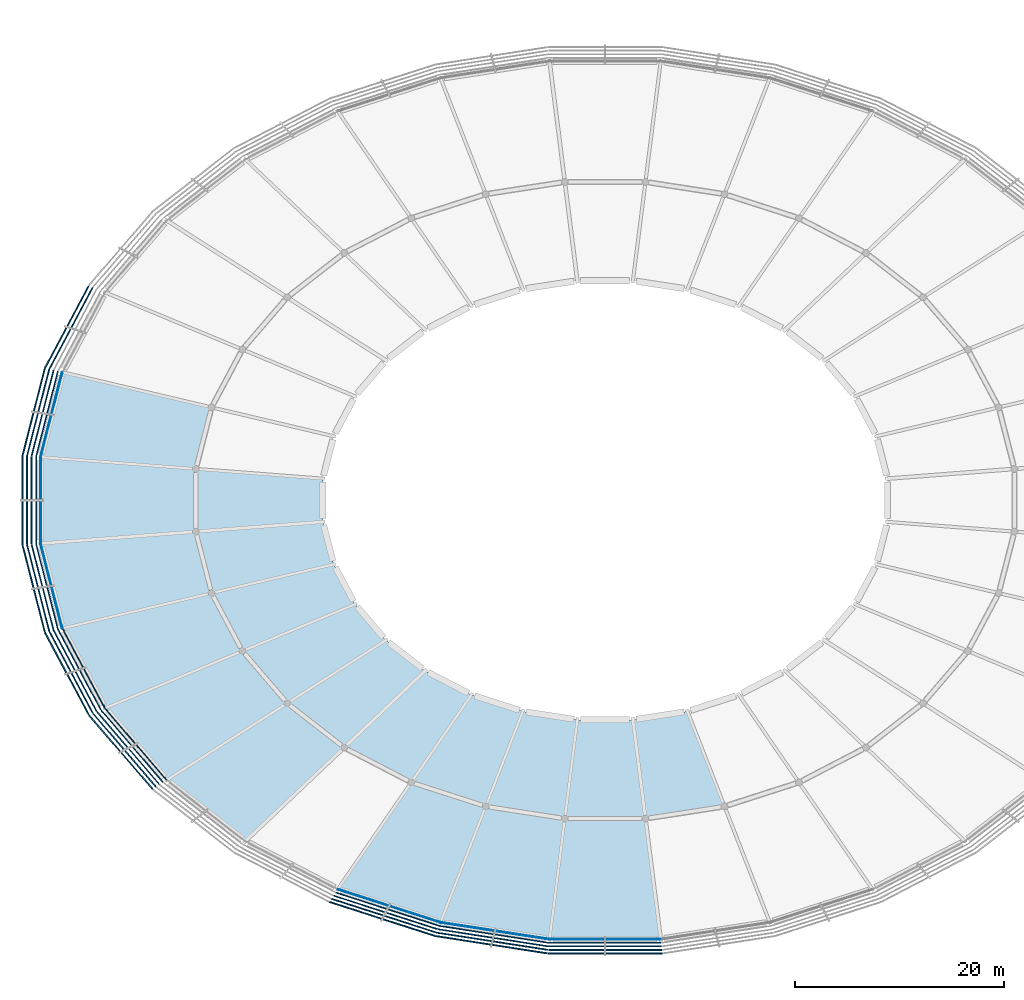
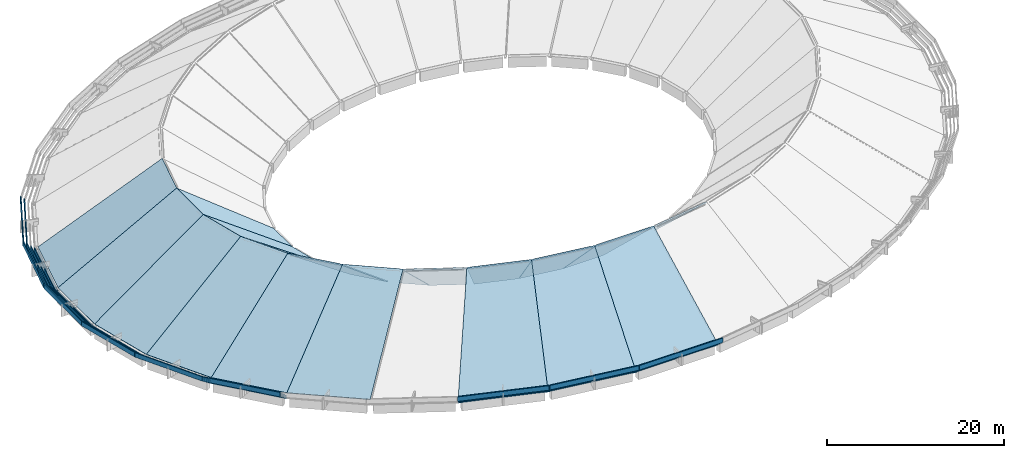
# One storey, part 5 of 15: 42 plates, 19 slabs.
"""IFC4 building model written with IfcOpenShell, lengths in metres."""

from ifc_helpers import new_model, si_unit, direction, frame, origin, origin_2d, place, context, subcontext, project, spatial, polyline, rectangle, outline, extrude, material, layer, layer_set, type_object, element, save


model = new_model("IFC4")

# Units and contexts
model_context = context("Model", 3, precision=1e-05, world=origin(), true_north=direction((0.0, 1.0)))
body_context = subcontext(model_context, "Body", "Model", "MODEL_VIEW")
ifc_project = project(units=[si_unit("LENGTHUNIT", "METRE"), si_unit("AREAUNIT", "SQUARE_METRE"), si_unit("VOLUMEUNIT", "CUBIC_METRE"), si_unit("PLANEANGLEUNIT", "RADIAN"), si_unit("MASSUNIT", "GRAM", prefix="KILO")], contexts=[model_context])

# Site, building, storey
site_placement = place(None, origin())
site = spatial("IfcSite", under=ifc_project, at=site_placement, CompositionType="ELEMENT")
building_placement = place(site_placement, origin())
building = spatial("IfcBuilding", under=site, at=building_placement, Name="Corvandel Quay Wholesale Market", CompositionType="ELEMENT")
storey_placement = place(building_placement, frame((0.0, 0.0, 19.199951171875)))
storey = spatial("IfcBuildingStorey", under=building, at=storey_placement, Name="RF", CompositionType="ELEMENT", Elevation=19.199951171875)

# Plates
ifc_material_1 = material(Name="Architectural white precast concrete C45/55", Category="concrete")
ifc_layer_1 = layer(ifc_material_1, 0.090087890625)
ifc_layer_set_1 = layer_set([ifc_layer_1], Name="Architectural white precast concrete C45/55")
plate_type_1 = type_object("IfcPlateType", Name="Stepped White Precast Shell Fascia Band FP01", PredefinedType="SHEET", material=ifc_layer_set_1)
plate_1_placement = place(storey_placement, frame((61.03759765625, 50.194091796875, -4.8798828125), z_axis=(0.0, 0.0, 1.0), x_axis=(0.247675453076, 0.968843057437, 0.0)))
element("IfcPlate", 1, at=plate_1_placement, inside=storey, type_object=plate_type_1, Name="Stepped Shell Rim Fascia FP-0015", PredefinedType="SHEET", context=body_context, shape_type="SweptSolid", body=[
    extrude(rectangle(XDim=8.31494140625, YDim=0.090087890625, at=origin_2d()), origin(), (0.0, 0.0, 1.0), 0.4599609375),
])
plate_2_placement = place(storey_placement, frame((60.0, 42.0, -4.8798828125), z_axis=(0.0, 0.0, 1.0), x_axis=(0.0, 1.0, 0.0)))
element("IfcPlate", 2, at=plate_2_placement, inside=storey, type_object=plate_type_1, Name="Stepped Shell Rim Fascia FP-0016", PredefinedType="SHEET", context=body_context, shape_type="SweptSolid", body=[
    extrude(rectangle(XDim=8.214111328125, YDim=0.090087890625, at=origin_2d()), origin(), (0.0, 0.0, 1.0), 0.4599609375),
])
plate_3_placement = place(storey_placement, frame((61.03759765625, 33.805908203125, -4.8798828125), z_axis=(0.0, 0.0, 1.0), x_axis=(-0.247675453076, 0.968843057437, 0.0)))
element("IfcPlate", 3, at=plate_3_placement, inside=storey, type_object=plate_type_1, Name="Stepped Shell Rim Fascia FP-0017", PredefinedType="SHEET", context=body_context, shape_type="SweptSolid", body=[
    extrude(rectangle(XDim=8.31494140625, YDim=0.090087890625, at=origin_2d()), origin(), (0.0, 0.0, 1.0), 0.4599609375),
])
plate_4_placement = place(storey_placement, frame((64.110595703125, 25.927490234375, -4.8798828125), z_axis=(0.0, 0.0, 1.0), x_axis=(-0.470087862033, 0.882619624736, 0.0)))
element("IfcPlate", 4, at=plate_4_placement, inside=storey, type_object=plate_type_1, Name="Stepped Shell Rim Fascia FP-0018", PredefinedType="SHEET", context=body_context, shape_type="SweptSolid", body=[
    extrude(rectangle(XDim=8.60009765625, YDim=0.090087890625, at=origin_2d()), origin(), (0.0, 0.0, 1.0), 0.4599609375),
])
plate_5_placement = place(storey_placement, frame((69.1005859375, 18.66650390625, -4.8798828125), z_axis=(0.0, 0.0, 1.0), x_axis=(-0.651568967347, 0.758589401976, 0.0)))
element("IfcPlate", 5, at=plate_5_placement, inside=storey, type_object=plate_type_1, Name="Stepped Shell Rim Fascia FP-0019", PredefinedType="SHEET", context=body_context, shape_type="SweptSolid", body=[
    extrude(rectangle(XDim=9.008056640625, YDim=0.090087890625, at=origin_2d()), origin(), (0.0, 0.0, 1.0), 0.4599609375),
])
plate_6_placement = place(storey_placement, frame((93.3349609375, 3.197021484375, -4.8798828125), z_axis=(0.0, 0.0, 1.0), x_axis=(-0.951808747363, 0.306692204733, 0.0)))
element("IfcPlate", 6, at=plate_6_placement, inside=storey, type_object=plate_type_1, Name="Stepped Shell Rim Fascia FP-0022", PredefinedType="SHEET", context=body_context, shape_type="SweptSolid", body=[
    extrude(rectangle(XDim=10.264892578125, YDim=0.090087890625, at=origin_2d()), origin(), (0.0, 0.0, 1.0), 0.4599609375),
])
plate_7_placement = place(storey_placement, frame((103.465087890625, 0.806884765625, -4.8798828125), z_axis=(0.0, 0.0, 1.0), x_axis=(-0.98825506746, 0.152813355565, 0.0)))
element("IfcPlate", 7, at=plate_7_placement, inside=storey, type_object=plate_type_1, Name="Stepped Shell Rim Fascia FP-0023", PredefinedType="SHEET", context=body_context, shape_type="SweptSolid", body=[
    extrude(rectangle(XDim=10.49609375, YDim=0.090087890625, at=origin_2d()), origin(), (0.0, 0.0, 1.0), 0.4599609375),
])
plate_8_placement = place(storey_placement, frame((114.0, 0.0, -4.8798828125), z_axis=(0.0, 0.0, 1.0), x_axis=(1.0, 0.0, 0.0)))
element("IfcPlate", 8, at=plate_8_placement, inside=storey, type_object=plate_type_1, Name="Stepped Shell Rim Fascia FP-0024", PredefinedType="SHEET", context=body_context, shape_type="SweptSolid", body=[
    extrude(rectangle(XDim=10.577880859375, YDim=0.090087890625, at=origin_2d()), origin(), (0.0, 0.0, 1.0), 0.4599609375),
])
ifc_layer_2 = layer(ifc_material_1, 0.10009765625)
ifc_layer_set_2 = layer_set([ifc_layer_2], Name="Architectural white precast concrete C45/55")
plate_type_2 = type_object("IfcPlateType", Name="Stepped White Precast Shell Fascia Band FP02", PredefinedType="SHEET", material=ifc_layer_set_2)
plate_9_placement = place(storey_placement, frame((60.614013671875, 50.259521484375, -4.56005859375), z_axis=(0.0, 0.0, 1.0), x_axis=(0.247844544316, 0.968799815159, 0.0)))
element("IfcPlate", 9, at=plate_9_placement, inside=storey, type_object=plate_type_2, Name="Stepped Shell Rim Fascia FP-0047", PredefinedType="SHEET", context=body_context, shape_type="SweptSolid", body=[
    extrude(rectangle(XDim=8.382080078125, YDim=0.10009765625, at=origin_2d()), origin(), (0.0, 0.0, 1.0), 0.5),
])
plate_10_placement = place(storey_placement, frame((59.568115234375, 42.0, -4.56005859375), z_axis=(0.0, 0.0, 1.0), x_axis=(0.0, 1.0, 0.0)))
element("IfcPlate", 10, at=plate_10_placement, inside=storey, type_object=plate_type_2, Name="Stepped Shell Rim Fascia FP-0048", PredefinedType="SHEET", context=body_context, shape_type="SweptSolid", body=[
    extrude(rectangle(XDim=8.280029296875, YDim=0.10009765625, at=origin_2d()), origin(), (0.0, 0.0, 1.0), 0.5),
])
plate_11_placement = place(storey_placement, frame((60.614013671875, 33.740478515625, -4.56005859375), z_axis=(0.0, 0.0, 1.0), x_axis=(-0.247844544316, 0.968799815159, 0.0)))
element("IfcPlate", 11, at=plate_11_placement, inside=storey, type_object=plate_type_2, Name="Stepped Shell Rim Fascia FP-0049", PredefinedType="SHEET", context=body_context, shape_type="SweptSolid", body=[
    extrude(rectangle(XDim=8.382080078125, YDim=0.10009765625, at=origin_2d()), origin(), (0.0, 0.0, 1.0), 0.5),
])
plate_12_placement = place(storey_placement, frame((63.71142578125, 25.798583984375, -4.56005859375), z_axis=(0.0, 0.0, 1.0), x_axis=(-0.470087862033, 0.882619624736, 0.0)))
element("IfcPlate", 12, at=plate_12_placement, inside=storey, type_object=plate_type_2, Name="Stepped Shell Rim Fascia FP-0050", PredefinedType="SHEET", context=body_context, shape_type="SweptSolid", body=[
    extrude(rectangle(XDim=8.6689453125, YDim=0.10009765625, at=origin_2d()), origin(), (0.0, 0.0, 1.0), 0.5),
])
plate_13_placement = place(storey_placement, frame((68.741455078125, 18.47900390625, -4.56005859375), z_axis=(0.0, 0.0, 1.0), x_axis=(-0.65170135625, 0.758475670184, 0.0)))
element("IfcPlate", 13, at=plate_13_placement, inside=storey, type_object=plate_type_2, Name="Stepped Shell Rim Fascia FP-0051", PredefinedType="SHEET", context=body_context, shape_type="SweptSolid", body=[
    extrude(rectangle(XDim=9.0810546875, YDim=0.10009765625, at=origin_2d()), origin(), (0.0, 0.0, 1.0), 0.5),
])
plate_14_placement = place(storey_placement, frame((93.169921875, 2.886474609375, -4.56005859375), z_axis=(0.0, 0.0, 1.0), x_axis=(-0.951808747363, 0.306692204733, 0.0)))
element("IfcPlate", 14, at=plate_14_placement, inside=storey, type_object=plate_type_2, Name="Stepped Shell Rim Fascia FP-0054", PredefinedType="SHEET", context=body_context, shape_type="SweptSolid", body=[
    extrude(rectangle(XDim=10.346923828125, YDim=0.10009765625, at=origin_2d()), origin(), (0.0, 0.0, 1.0), 0.5),
])
plate_15_placement = place(storey_placement, frame((103.381103515625, 0.4775390625, -4.56005859375), z_axis=(0.0, 0.0, 1.0), x_axis=(-0.98825506746, 0.152813355565, 0.0)))
element("IfcPlate", 15, at=plate_15_placement, inside=storey, type_object=plate_type_2, Name="Stepped Shell Rim Fascia FP-0055", PredefinedType="SHEET", context=body_context, shape_type="SweptSolid", body=[
    extrude(rectangle(XDim=10.5810546875, YDim=0.10009765625, at=origin_2d()), origin(), (0.0, 0.0, 1.0), 0.5),
])
plate_16_placement = place(storey_placement, frame((114.0, -0.3359375, -4.56005859375), z_axis=(0.0, 0.0, 1.0), x_axis=(1.0, 0.0, 0.0)))
element("IfcPlate", 16, at=plate_16_placement, inside=storey, type_object=plate_type_2, Name="Stepped Shell Rim Fascia FP-0056", PredefinedType="SHEET", context=body_context, shape_type="SweptSolid", body=[
    extrude(rectangle(XDim=10.662109375, YDim=0.10009765625, at=origin_2d()), origin(), (0.0, 0.0, 1.0), 0.5),
])
ifc_layer_3 = layer(ifc_material_1, 0.110107421875)
ifc_layer_set_3 = layer_set([ifc_layer_3], Name="Architectural white precast concrete C45/55")
plate_type_3 = type_object("IfcPlateType", Name="Stepped White Precast Shell Fascia Band FP03", PredefinedType="SHEET", material=ifc_layer_set_3)
plate_17_placement = place(storey_placement, frame((60.18994140625, 50.324951171875, -4.239990234375), z_axis=(0.0, 0.0, 1.0), x_axis=(0.247675453076, 0.968843057437, 0.0)))
element("IfcPlate", 17, at=plate_17_placement, inside=storey, type_object=plate_type_3, Name="Stepped Shell Rim Fascia FP-0079", PredefinedType="SHEET", context=body_context, shape_type="SweptSolid", body=[
    extrude(rectangle(XDim=8.448974609375, YDim=0.110107421875, at=origin_2d()), origin(), (0.0, 0.0, 1.0), 0.5400390625),
])
plate_18_placement = place(storey_placement, frame((59.135986328125, 42.0, -4.239990234375), z_axis=(0.0, 0.0, 1.0), x_axis=(0.0, 1.0, 0.0)))
element("IfcPlate", 18, at=plate_18_placement, inside=storey, type_object=plate_type_3, Name="Stepped Shell Rim Fascia FP-0080", PredefinedType="SHEET", context=body_context, shape_type="SweptSolid", body=[
    extrude(rectangle(XDim=8.345947265625, YDim=0.110107421875, at=origin_2d()), origin(), (0.0, 0.0, 1.0), 0.5400390625),
])
plate_19_placement = place(storey_placement, frame((60.18994140625, 33.675048828125, -4.239990234375), z_axis=(0.0, 0.0, 1.0), x_axis=(-0.247675453076, 0.968843057437, 0.0)))
element("IfcPlate", 19, at=plate_19_placement, inside=storey, type_object=plate_type_3, Name="Stepped Shell Rim Fascia FP-0081", PredefinedType="SHEET", context=body_context, shape_type="SweptSolid", body=[
    extrude(rectangle(XDim=8.448974609375, YDim=0.110107421875, at=origin_2d()), origin(), (0.0, 0.0, 1.0), 0.5400390625),
])
plate_20_placement = place(storey_placement, frame((63.31201171875, 25.669921875, -4.239990234375), z_axis=(0.0, 0.0, 1.0), x_axis=(-0.470087862033, 0.882619624736, 0.0)))
element("IfcPlate", 20, at=plate_20_placement, inside=storey, type_object=plate_type_3, Name="Stepped Shell Rim Fascia FP-0082", PredefinedType="SHEET", context=body_context, shape_type="SweptSolid", body=[
    extrude(rectangle(XDim=8.739013671875, YDim=0.110107421875, at=origin_2d()), origin(), (0.0, 0.0, 1.0), 0.5400390625),
])
plate_21_placement = place(storey_placement, frame((68.382080078125, 18.29248046875, -4.239990234375), z_axis=(0.0, 0.0, 1.0), x_axis=(-0.651568967347, 0.758589401976, 0.0)))
element("IfcPlate", 21, at=plate_21_placement, inside=storey, type_object=plate_type_3, Name="Stepped Shell Rim Fascia FP-0083", PredefinedType="SHEET", context=body_context, shape_type="SweptSolid", body=[
    extrude(rectangle(XDim=9.154052734375, YDim=0.110107421875, at=origin_2d()), origin(), (0.0, 0.0, 1.0), 0.5400390625),
])
plate_22_placement = place(storey_placement, frame((93.00439453125, 2.576416015625, -4.239990234375), z_axis=(0.0, 0.0, 1.0), x_axis=(-0.951808747363, 0.306692204733, 0.0)))
element("IfcPlate", 22, at=plate_22_placement, inside=storey, type_object=plate_type_3, Name="Stepped Shell Rim Fascia FP-0086", PredefinedType="SHEET", context=body_context, shape_type="SweptSolid", body=[
    extrude(rectangle(XDim=10.429931640625, YDim=0.110107421875, at=origin_2d()), origin(), (0.0, 0.0, 1.0), 0.5400390625),
])
plate_23_placement = place(storey_placement, frame((103.29638671875, 0.14794921875, -4.239990234375), z_axis=(0.0, 0.0, 1.0), x_axis=(-0.988228381447, 0.152985836284, 0.0)))
element("IfcPlate", 23, at=plate_23_placement, inside=storey, type_object=plate_type_3, Name="Stepped Shell Rim Fascia FP-0087", PredefinedType="SHEET", context=body_context, shape_type="SweptSolid", body=[
    extrude(rectangle(XDim=10.6650390625, YDim=0.110107421875, at=origin_2d()), origin(), (0.0, 0.0, 1.0), 0.5400390625),
])
plate_24_placement = place(storey_placement, frame((114.0, -0.672119140625, -4.239990234375), z_axis=(0.0, 0.0, 1.0), x_axis=(1.0, 0.0, 0.0)))
element("IfcPlate", 24, at=plate_24_placement, inside=storey, type_object=plate_type_3, Name="Stepped Shell Rim Fascia FP-0088", PredefinedType="SHEET", context=body_context, shape_type="SweptSolid", body=[
    extrude(rectangle(XDim=10.748046875, YDim=0.110107421875, at=origin_2d()), origin(), (0.0, 0.0, 1.0), 0.5400390625),
])
ifc_layer_4 = layer(ifc_material_1, 0.1201171875)
ifc_layer_set_4 = layer_set([ifc_layer_4], Name="Architectural white precast concrete C45/55")
plate_type_4 = type_object("IfcPlateType", Name="Stepped White Precast Shell Fascia Band FP04", PredefinedType="SHEET", material=ifc_layer_set_4)
plate_25_placement = place(storey_placement, frame((62.9130859375, 58.45849609375, -3.919921875), z_axis=(0.0, 0.0, 1.0), x_axis=(0.470087862033, 0.882619624736, 0.0)))
element("IfcPlate", 25, at=plate_25_placement, inside=storey, type_object=plate_type_4, Name="Stepped Shell Rim Fascia FP-0110", PredefinedType="SHEET", context=body_context, shape_type="SweptSolid", body=[
    extrude(rectangle(XDim=8.80810546875, YDim=0.1201171875, at=origin_2d()), origin(), (0.0, 0.0, 1.0), 0.580078125),
])
plate_26_placement = place(storey_placement, frame((59.7666015625, 50.390380859375, -3.919921875), z_axis=(0.0, 0.0, 1.0), x_axis=(0.247844544316, 0.968799815159, 0.0)))
element("IfcPlate", 26, at=plate_26_placement, inside=storey, type_object=plate_type_4, Name="Stepped Shell Rim Fascia FP-0111", PredefinedType="SHEET", context=body_context, shape_type="SweptSolid", body=[
    extrude(rectangle(XDim=8.51611328125, YDim=0.1201171875, at=origin_2d()), origin(), (0.0, 0.0, 1.0), 0.580078125),
])
plate_27_placement = place(storey_placement, frame((58.7041015625, 42.0, -3.919921875), z_axis=(0.0, 0.0, 1.0), x_axis=(0.0, 1.0, 0.0)))
element("IfcPlate", 27, at=plate_27_placement, inside=storey, type_object=plate_type_4, Name="Stepped Shell Rim Fascia FP-0112", PredefinedType="SHEET", context=body_context, shape_type="SweptSolid", body=[
    extrude(rectangle(XDim=8.412109375, YDim=0.1201171875, at=origin_2d()), origin(), (0.0, 0.0, 1.0), 0.580078125),
])
plate_28_placement = place(storey_placement, frame((59.7666015625, 33.609619140625, -3.919921875), z_axis=(0.0, 0.0, 1.0), x_axis=(-0.247844544316, 0.968799815159, 0.0)))
element("IfcPlate", 28, at=plate_28_placement, inside=storey, type_object=plate_type_4, Name="Stepped Shell Rim Fascia FP-0113", PredefinedType="SHEET", context=body_context, shape_type="SweptSolid", body=[
    extrude(rectangle(XDim=8.51611328125, YDim=0.1201171875, at=origin_2d()), origin(), (0.0, 0.0, 1.0), 0.580078125),
])
plate_29_placement = place(storey_placement, frame((62.9130859375, 25.54150390625, -3.919921875), z_axis=(0.0, 0.0, 1.0), x_axis=(-0.470087862033, 0.882619624736, 0.0)))
element("IfcPlate", 29, at=plate_29_placement, inside=storey, type_object=plate_type_4, Name="Stepped Shell Rim Fascia FP-0114", PredefinedType="SHEET", context=body_context, shape_type="SweptSolid", body=[
    extrude(rectangle(XDim=8.80810546875, YDim=0.1201171875, at=origin_2d()), origin(), (0.0, 0.0, 1.0), 0.580078125),
])
plate_30_placement = place(storey_placement, frame((68.02294921875, 18.10595703125, -3.919921875), z_axis=(0.0, 0.0, 1.0), x_axis=(-0.65170135625, 0.758475670184, 0.0)))
element("IfcPlate", 30, at=plate_30_placement, inside=storey, type_object=plate_type_4, Name="Stepped Shell Rim Fascia FP-0115", PredefinedType="SHEET", context=body_context, shape_type="SweptSolid", body=[
    extrude(rectangle(XDim=9.22705078125, YDim=0.1201171875, at=origin_2d()), origin(), (0.0, 0.0, 1.0), 0.580078125),
])
plate_31_placement = place(storey_placement, frame((92.839599609375, 2.26611328125, -3.919921875), z_axis=(0.0, 0.0, 1.0), x_axis=(-0.951808747363, 0.306692204733, 0.0)))
element("IfcPlate", 31, at=plate_31_placement, inside=storey, type_object=plate_type_4, Name="Stepped Shell Rim Fascia FP-0118", PredefinedType="SHEET", context=body_context, shape_type="SweptSolid", body=[
    extrude(rectangle(XDim=10.511962890625, YDim=0.1201171875, at=origin_2d()), origin(), (0.0, 0.0, 1.0), 0.580078125),
])
plate_32_placement = place(storey_placement, frame((103.21240234375, -0.181396484375, -3.919921875), z_axis=(0.0, 0.0, 1.0), x_axis=(-0.988228381447, 0.152985836284, 0.0)))
element("IfcPlate", 32, at=plate_32_placement, inside=storey, type_object=plate_type_4, Name="Stepped Shell Rim Fascia FP-0119", PredefinedType="SHEET", context=body_context, shape_type="SweptSolid", body=[
    extrude(rectangle(XDim=10.75, YDim=0.1201171875, at=origin_2d()), origin(), (0.0, 0.0, 1.0), 0.580078125),
])
plate_33_placement = place(storey_placement, frame((114.0, -1.008056640625, -3.919921875), z_axis=(0.0, 0.0, 1.0), x_axis=(1.0, 0.0, 0.0)))
element("IfcPlate", 33, at=plate_33_placement, inside=storey, type_object=plate_type_4, Name="Stepped Shell Rim Fascia FP-0120", PredefinedType="SHEET", context=body_context, shape_type="SweptSolid", body=[
    extrude(rectangle(XDim=10.83203125, YDim=0.1201171875, at=origin_2d()), origin(), (0.0, 0.0, 1.0), 0.580078125),
])
ifc_layer_5 = layer(ifc_material_1, 0.1298828125)
ifc_layer_set_5 = layer_set([ifc_layer_5], Name="Architectural white precast concrete C45/55")
plate_type_5 = type_object("IfcPlateType", Name="Stepped White Precast Shell Fascia Band FP05", PredefinedType="SHEET", material=ifc_layer_set_5)
plate_34_placement = place(storey_placement, frame((62.513916015625, 58.5869140625, -3.60009765625), z_axis=(0.0, 0.0, 1.0), x_axis=(0.469933808689, 0.882701657102, 0.0)))
element("IfcPlate", 34, at=plate_34_placement, inside=storey, type_object=plate_type_5, Name="Stepped Shell Rim Fascia FP-0142", PredefinedType="SHEET", context=body_context, shape_type="SweptSolid", body=[
    extrude(rectangle(XDim=8.8759765625, YDim=0.1298828125, at=origin_2d()), origin(), (0.0, 0.0, 1.0), 0.6201171875),
])
plate_35_placement = place(storey_placement, frame((59.343017578125, 50.4560546875, -3.60009765625), z_axis=(0.0, 0.0, 1.0), x_axis=(0.247844544316, 0.968799815159, 0.0)))
element("IfcPlate", 35, at=plate_35_placement, inside=storey, type_object=plate_type_5, Name="Stepped Shell Rim Fascia FP-0143", PredefinedType="SHEET", context=body_context, shape_type="SweptSolid", body=[
    extrude(rectangle(XDim=8.583984375, YDim=0.1298828125, at=origin_2d()), origin(), (0.0, 0.0, 1.0), 0.6201171875),
])
plate_36_placement = place(storey_placement, frame((58.27197265625, 42.0, -3.60009765625), z_axis=(0.0, 0.0, 1.0), x_axis=(0.0, 1.0, 0.0)))
element("IfcPlate", 36, at=plate_36_placement, inside=storey, type_object=plate_type_5, Name="Stepped Shell Rim Fascia FP-0144", PredefinedType="SHEET", context=body_context, shape_type="SweptSolid", body=[
    extrude(rectangle(XDim=8.47802734375, YDim=0.1298828125, at=origin_2d()), origin(), (0.0, 0.0, 1.0), 0.6201171875),
])
plate_37_placement = place(storey_placement, frame((59.343017578125, 33.5439453125, -3.60009765625), z_axis=(0.0, 0.0, 1.0), x_axis=(-0.247844544316, 0.968799815159, 0.0)))
element("IfcPlate", 37, at=plate_37_placement, inside=storey, type_object=plate_type_5, Name="Stepped Shell Rim Fascia FP-0145", PredefinedType="SHEET", context=body_context, shape_type="SweptSolid", body=[
    extrude(rectangle(XDim=8.583984375, YDim=0.1298828125, at=origin_2d()), origin(), (0.0, 0.0, 1.0), 0.6201171875),
])
plate_38_placement = place(storey_placement, frame((62.513916015625, 25.4130859375, -3.60009765625), z_axis=(0.0, 0.0, 1.0), x_axis=(-0.469933808689, 0.882701657102, 0.0)))
element("IfcPlate", 38, at=plate_38_placement, inside=storey, type_object=plate_type_5, Name="Stepped Shell Rim Fascia FP-0146", PredefinedType="SHEET", context=body_context, shape_type="SweptSolid", body=[
    extrude(rectangle(XDim=8.8759765625, YDim=0.1298828125, at=origin_2d()), origin(), (0.0, 0.0, 1.0), 0.6201171875),
])
plate_39_placement = place(storey_placement, frame((67.66357421875, 17.91943359375, -3.60009765625), z_axis=(0.0, 0.0, 1.0), x_axis=(-0.65170135625, 0.758475670184, 0.0)))
element("IfcPlate", 39, at=plate_39_placement, inside=storey, type_object=plate_type_5, Name="Stepped Shell Rim Fascia FP-0147", PredefinedType="SHEET", context=body_context, shape_type="SweptSolid", body=[
    extrude(rectangle(XDim=9.299072265625, YDim=0.1298828125, at=origin_2d()), origin(), (0.0, 0.0, 1.0), 0.6201171875),
])
plate_40_placement = place(storey_placement, frame((92.674072265625, 1.95556640625, -3.60009765625), z_axis=(0.0, 0.0, 1.0), x_axis=(-0.951808747363, 0.306692204733, 0.0)))
element("IfcPlate", 40, at=plate_40_placement, inside=storey, type_object=plate_type_5, Name="Stepped Shell Rim Fascia FP-0150", PredefinedType="SHEET", context=body_context, shape_type="SweptSolid", body=[
    extrude(rectangle(XDim=10.594970703125, YDim=0.1298828125, at=origin_2d()), origin(), (0.0, 0.0, 1.0), 0.6201171875),
])
plate_41_placement = place(storey_placement, frame((103.1279296875, -0.510986328125, -3.60009765625), z_axis=(0.0, 0.0, 1.0), x_axis=(-0.988228381447, 0.152985836284, 0.0)))
element("IfcPlate", 41, at=plate_41_placement, inside=storey, type_object=plate_type_5, Name="Stepped Shell Rim Fascia FP-0151", PredefinedType="SHEET", context=body_context, shape_type="SweptSolid", body=[
    extrude(rectangle(XDim=10.833984375, YDim=0.1298828125, at=origin_2d()), origin(), (0.0, 0.0, 1.0), 0.6201171875),
])
plate_42_placement = place(storey_placement, frame((114.0, -1.343994140625, -3.60009765625), z_axis=(0.0, 0.0, 1.0), x_axis=(1.0, 0.0, 0.0)))
element("IfcPlate", 42, at=plate_42_placement, inside=storey, type_object=plate_type_5, Name="Stepped Shell Rim Fascia FP-0152", PredefinedType="SHEET", context=body_context, shape_type="SweptSolid", body=[
    extrude(rectangle(XDim=10.91796875, YDim=0.1298828125, at=origin_2d()), origin(), (0.0, 0.0, 1.0), 0.6201171875),
])

# Slabs
ifc_material_2 = material(Name="Concrete C40/50", Category="concrete")
ifc_layer_6 = layer(ifc_material_2, 0.139892578125)
ifc_layer_set_6 = layer_set([ifc_layer_6], Name="Concrete C40/50")
slab_type = type_object("IfcSlabType", Name="Thin Concrete Radial Shell Roof 140", PredefinedType="ROOF", material=ifc_layer_set_6)
slab_1_placement = place(storey_placement, frame((62.074951171875, 54.2509765625, -4.06005859375), z_axis=(-0.517150920127, 0.132264423739, 0.845612823948), x_axis=(-0.247759982389, -0.968821444306, 1.3371574e-05)))
element("IfcSlab", 43, at=slab_1_placement, inside=storey, type_object=slab_type, Name="Radial Shell Roof SLB-0171", PredefinedType="ROOF", context=body_context, shape_type="SweptSolid", body=[
    extrude(outline(polyline([(0.0, 0.0), (8.37512031050903, -2.220446049250313e-16), (5.7984443421346334, 17.34730032008074), (-0.2740368284941346, 17.347662231568922), (0.0, 0.0)])), origin(), (0.0, 0.0, -1.0), 0.139892578125),
])
slab_2_placement = place(storey_placement, frame((60.0, 46.136962890625, -4.06005859375), z_axis=(-0.529123389849, 0.0, 0.848544894696), x_axis=(0.0, -1.0, 0.0)))
element("IfcSlab", 44, at=slab_2_placement, inside=storey, type_object=slab_type, Name="Radial Shell Roof SLB-0173", PredefinedType="ROOF", context=body_context, shape_type="SweptSolid", body=[
    extrude(outline(polyline([(0.0, 0.0), (8.27392578125, 0.0), (7.135986328125, 17.500662309170817), (1.137939453125, 17.500662309170817), (0.0, 0.0)])), origin(), (0.0, 0.0, -1.0), 0.139892578125),
])
slab_3_placement = place(storey_placement, frame((74.85009765625, 44.9990234375, 5.199951171875), z_axis=(0.606165030379, 0.0, 0.795338893771), x_axis=(0.0, -1.0, 0.0)))
element("IfcSlab", 45, at=slab_3_placement, inside=storey, type_object=slab_type, Name="Radial Shell Roof SLB-0174", PredefinedType="ROOF", context=body_context, shape_type="SweptSolid", body=[
    extrude(outline(polyline([(0.0, 0.0), (5.998046875, 0.0), (5.067138671875, 15.276383990399435), (0.930908203125, 15.276383990399435), (0.0, 0.0)])), origin(), (0.0, 0.0, -1.0), 0.139892578125),
])
slab_4_placement = place(storey_placement, frame((60.0, 37.863037109375, -4.06005859375), z_axis=(-0.517150920127, -0.132264423739, 0.845612823948), x_axis=(0.247759982389, -0.968821444306, -1.3371574e-05)))
element("IfcSlab", 46, at=slab_4_placement, inside=storey, type_object=slab_type, Name="Radial Shell Roof SLB-0175", PredefinedType="ROOF", context=body_context, shape_type="SweptSolid", body=[
    extrude(outline(polyline([(0.0, 0.0), (8.37512031050903, 2.220446049250313e-16), (8.649157139003165, 17.347662231568922), (2.5766759683743987, 17.34730032008074), (0.0, 0.0)])), origin(), (0.0, 0.0, -1.0), 0.139892578125),
])
slab_5_placement = place(storey_placement, frame((74.85009765625, 39.0009765625, 5.199951171875), z_axis=(0.591806888621, 0.151403953232, 0.791733193397), x_axis=(0.247831588278, -0.968803129441, 1.5387178e-05)))
element("IfcSlab", 47, at=slab_5_placement, inside=storey, type_object=slab_type, Name="Radial Shell Roof SLB-0176", PredefinedType="ROOF", context=body_context, shape_type="SweptSolid", body=[
    extrude(outline(polyline([(0.0, 0.0), (6.072481181710792, 0.0), (6.296713472825603, 15.158955923027602), (2.10912032944656, 15.158697481207437), (0.0, 0.0)])), origin(), (0.0, 0.0, -1.0), 0.139892578125),
])
slab_6_placement = place(storey_placement, frame((62.074951171875, 29.7490234375, -4.06005859375), z_axis=(-0.482418018406, -0.256940614151, 0.837409324236), x_axis=(0.470108211626, -0.882608786043, 1.2691939e-05)))
element("IfcSlab", 48, at=slab_6_placement, inside=storey, type_object=slab_type, Name="Radial Shell Roof SLB-0177", PredefinedType="ROOF", context=body_context, shape_type="SweptSolid", body=[
    extrude(outline(polyline([(0.0, 0.0), (8.659669210139933, -4.440892098500626e-16), (10.017663359891595, 16.941611004895876), (3.7398589258191355, 16.941957864994762), (0.0, 0.0)])), origin(), (0.0, 0.0, -1.0), 0.139892578125),
])
slab_7_placement = place(storey_placement, frame((76.35498046875, 33.117919921875, 5.199951171875), z_axis=(0.5504413248, 0.293111333083, 0.781728913608), x_axis=(0.470041673095, -0.882644223378, -2.2176866e-05)))
element("IfcSlab", 49, at=slab_7_placement, inside=storey, type_object=slab_type, Name="Radial Shell Roof SLB-0178", PredefinedType="ROOF", context=body_context, shape_type="SweptSolid", body=[
    extrude(outline(polyline([(0.0, 0.0), (6.277804442500569, 0.0), (7.3882096724247175, 14.848577210233055), (3.058230995123291, 14.84895443993784), (0.0, 0.0)])), origin(), (0.0, 0.0, -1.0), 0.139892578125),
])
slab_8_placement = place(storey_placement, frame((66.14599609375, 22.10595703125, -4.06005859375), z_axis=(-0.42806130219, -0.367690972879, 0.825570632975), x_axis=(0.651596720068, -0.758565563647, 6.820017e-06)))
element("IfcSlab", 50, at=slab_8_placement, inside=storey, type_object=slab_type, Name="Radial Shell Roof SLB-0179", PredefinedType="ROOF", context=body_context, shape_type="SweptSolid", body=[
    extrude(outline(polyline([(0.0, 0.0), (9.068344418238647, -8.881784197001252e-16), (11.000071941289645, 16.409630551548474), (4.424946524041526, 16.40981961579577), (0.0, 0.0)])), origin(), (0.0, 0.0, -1.0), 0.139892578125),
])
slab_9_placement = place(storey_placement, frame((79.305908203125, 27.576904296875, 5.199951171875), z_axis=(0.486337734963, 0.4177545341, 0.767435180839), x_axis=(0.651582332793, -0.75857792178, 1.3408845e-05)))
element("IfcSlab", 51, at=slab_9_placement, inside=storey, type_object=slab_type, Name="Radial Shell Roof SLB-0180", PredefinedType="ROOF", context=body_context, shape_type="SweptSolid", body=[
    extrude(outline(polyline([(0.0, 0.0), (6.575125419389471, 0.0), (8.155010574426745, 14.443512327622598), (3.620070273155197, 14.443279966089186), (0.0, 0.0)])), origin(), (0.0, 0.0, -1.0), 0.139892578125),
])
slab_10_placement = place(storey_placement, frame((72.054931640625, 15.22705078125, -4.06005859375), z_axis=(-0.358150608725, -0.46044593596, 0.81223006687), x_axis=(0.789323027077, -0.613978141995, -8.886178e-06)))
element("IfcSlab", 52, at=slab_10_placement, inside=storey, type_object=slab_type, Name="Radial Shell Roof SLB-0181", PredefinedType="ROOF", context=body_context, shape_type="SweptSolid", body=[
    extrude(outline(polyline([(0.0, 0.0), (9.529697904121809, -8.881784197001252e-16), (11.492833144553062, 15.874371618579776), (4.584737907127889, 15.874121215970113), (0.0, 0.0)])), origin(), (0.0, 0.0, -1.0), 0.139892578125),
])
slab_11_placement = place(storey_placement, frame((83.590087890625, 22.589111328125, 5.199951171875), z_axis=(0.405003810344, 0.520725098027, 0.751543269474), x_axis=(0.78935046317, -0.613942868873, 7.338628e-06)))
element("IfcSlab", 53, at=slab_11_placement, inside=storey, type_object=slab_type, Name="Radial Shell Roof SLB-0182", PredefinedType="ROOF", context=body_context, shape_type="SweptSolid", body=[
    extrude(outline(polyline([(0.0, 0.0), (6.908095242420851, -4.440892098500626e-16), (8.516015358621654, 14.037137613513867), (3.7514661894088084, 14.037007761615845), (0.0, 0.0)])), origin(), (0.0, 0.0, -1.0), 0.139892578125),
])
slab_12_placement = place(storey_placement, frame((89.04296875, 18.347900390625, 5.199951171875), z_axis=(0.311852115671, 0.600173325822, 0.73657330723), x_axis=(0.887375367341, -0.461047672801, -2.9013476e-05)))
element("IfcSlab", 54, at=slab_12_placement, inside=storey, type_object=slab_type, Name="Radial Shell Roof SLB-0184", PredefinedType="ROOF", context=body_context, shape_type="SweptSolid", body=[
    extrude(outline(polyline([(0.0, 0.0), (7.226927182622102, 0.0), (8.473225640065854, 13.69063098735002), (3.489831011806542, 13.691154769169657), (0.0, 0.0)])), origin(), (0.0, 0.0, -1.0), 0.139892578125),
])
slab_13_placement = place(storey_placement, frame((88.4208984375, 4.780029296875, -4.06005859375), z_axis=(-0.188344739419, -0.584539638237, 0.789201919957), x_axis=(0.951824003808, -0.306644851211, 3.1644089e-05)))
element("IfcSlab", 55, at=slab_13_placement, inside=storey, type_object=slab_type, Name="Radial Shell Roof SLB-0185", PredefinedType="ROOF", context=body_context, shape_type="SweptSolid", body=[
    extrude(outline(polyline([(0.0, 0.0), (10.325487677681938, -4.440892098500626e-16), (11.042597974223373, 15.07759429739188), (3.557681163494165, 15.078512002982059), (0.0, 0.0)])), origin(), (0.0, 0.0, -1.0), 0.139892578125),
])
slab_14_placement = place(storey_placement, frame((95.4560546875, 15.01611328125, 5.199951171875), z_axis=(0.211395004815, 0.655964460784, 0.724584555541), x_axis=(0.951789696965, -0.306751320058, 1.9841279e-05)))
element("IfcSlab", 56, at=slab_14_placement, inside=storey, type_object=slab_type, Name="Radial Shell Roof SLB-0186", PredefinedType="ROOF", context=body_context, shape_type="SweptSolid", body=[
    extrude(outline(polyline([(0.0, 0.0), (7.484916875631923, -4.440892098500626e-16), (8.07040089631285, 13.43638883168541), (2.9085865845495187, 13.436024739334957), (0.0, 0.0)])), origin(), (0.0, 0.0, -1.0), 0.139892578125),
])
slab_15_placement = place(storey_placement, frame((98.2490234375, 1.614013671875, -4.06005859375), z_axis=(-0.095188609555, -0.615315934304, 0.782512255241), x_axis=(0.9882428482, -0.15289235719, -9.76469e-06)))
element("IfcSlab", 57, at=slab_15_placement, inside=storey, type_object=slab_type, Name="Radial Shell Roof SLB-0187", PredefinedType="ROOF", context=body_context, shape_type="SweptSolid", body=[
    extrude(outline(polyline([(0.0, 0.0), (10.556005867700481, -2.220446049250313e-16), (10.235933723668747, 14.872448552245396), (2.582027449603176, 14.872162969040577), (0.0, 0.0)])), origin(), (0.0, 0.0, -1.0), 0.139892578125),
])
slab_16_placement = place(storey_placement, frame((102.580078125, 12.719970703125, 5.199951171875), z_axis=(0.106564199242, 0.688988809995, 0.716895034954), x_axis=(0.98824916178, -0.152851543136, 1.425919e-06)))
element("IfcSlab", 58, at=slab_16_placement, inside=storey, type_object=slab_type, Name="Radial Shell Roof SLB-0188", PredefinedType="ROOF", context=body_context, shape_type="SweptSolid", body=[
    extrude(outline(polyline([(0.0, 0.0), (7.653906280511784, -2.220446049250313e-16), (7.392408935881779, 13.282087094386451), (2.113338943659682, 13.282060643051627), (0.0, 0.0)])), origin(), (0.0, 0.0, -1.0), 0.139892578125),
])
slab_17_placement = place(storey_placement, frame((108.680908203125, 0.0, -4.06005859375), z_axis=(0.0, -0.625517279486, 0.780210313354), x_axis=(1.0, 0.0, 0.0)))
element("IfcSlab", 59, at=slab_17_placement, inside=storey, type_object=slab_type, Name="Radial Shell Roof SLB-0189", PredefinedType="ROOF", context=body_context, shape_type="SweptSolid", body=[
    extrude(outline(polyline([(0.0, 0.0), (10.63818359375, 0.0), (9.175048828125, 14.803763332056551), (1.463134765625, 14.803763332056551), (0.0, 0.0)])), origin(), (0.0, 0.0, -1.0), 0.139892578125),
])
slab_18_placement = place(storey_placement, frame((110.14404296875, 11.550048828125, 5.199951171875), z_axis=(0.0, 0.699892248358, 0.714248444652), x_axis=(1.0, 0.0, 0.0)))
element("IfcSlab", 60, at=slab_18_placement, inside=storey, type_object=slab_type, Name="Radial Shell Roof SLB-0190", PredefinedType="ROOF", context=body_context, shape_type="SweptSolid", body=[
    extrude(outline(polyline([(0.0, 0.0), (7.7119140625, 0.0), (6.514892578125, 13.230621981233234), (1.197021484375, 13.230621981233234), (0.0, 0.0)])), origin(), (0.0, 0.0, -1.0), 0.139892578125),
])
slab_19_placement = place(storey_placement, frame((117.85595703125, 11.550048828125, 5.199951171875), z_axis=(-0.106564199242, 0.688988809995, 0.716895034954), x_axis=(0.98824916178, 0.152851543136, -1.425919e-06)))
element("IfcSlab", 61, at=slab_19_placement, inside=storey, type_object=slab_type, Name="Radial Shell Roof SLB-0192", PredefinedType="ROOF", context=body_context, shape_type="SweptSolid", body=[
    extrude(outline(polyline([(0.0, 0.0), (7.653906280511784, 2.220446049250313e-16), (5.540567336852101, 13.28206064305163), (0.26149734463000424, 13.282087094386451), (0.0, 0.0)])), origin(), (0.0, 0.0, -1.0), 0.139892578125),
])

save(model, "model.ifc")
